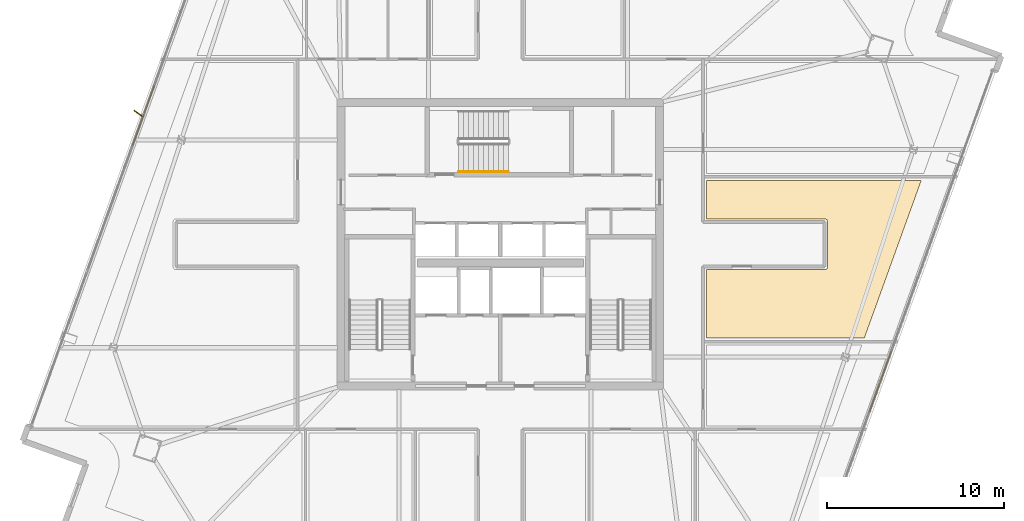
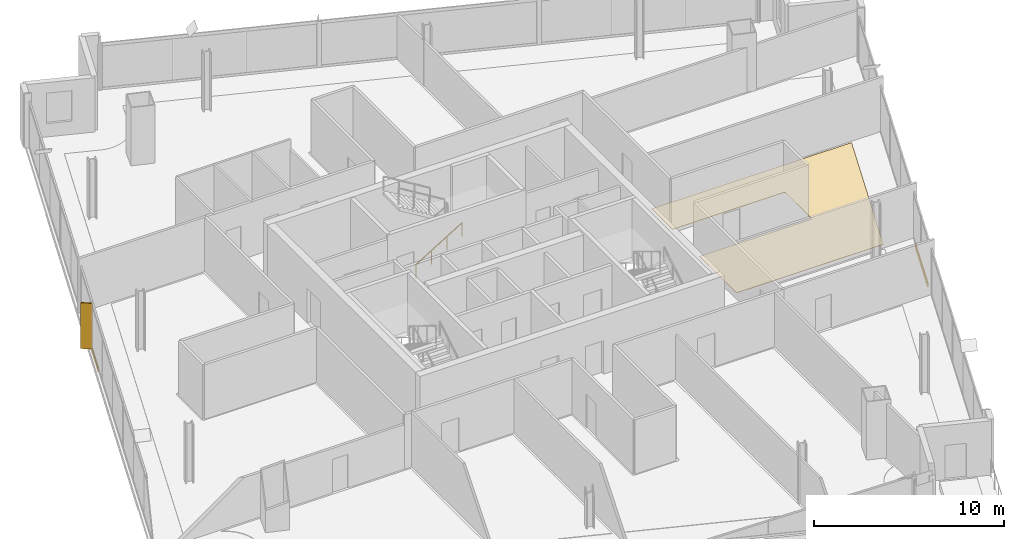
# One storey, part 25 of 27: 3 coverings, 1 railing, 1 shading device.
"""IFC4 building model written with IfcOpenShell, lengths in metres."""

from ifc_helpers import new_model, si_unit, direction, frame, origin, origin_2d, place, context, subcontext, project, spatial, polyline, rectangle, outline, extrude, source, transform, mapped, material, layer, layer_set, type_object, element, save


model = new_model("IFC4")

# Units and contexts
model_context = context("Model", 3, precision=1e-05, world=origin(), true_north=direction((0.0, 1.0)))
body_context = subcontext(model_context, "Body", "Model", "MODEL_VIEW")
ifc_project = project(units=[si_unit("LENGTHUNIT", "METRE"), si_unit("AREAUNIT", "SQUARE_METRE"), si_unit("VOLUMEUNIT", "CUBIC_METRE"), si_unit("PLANEANGLEUNIT", "RADIAN"), si_unit("MASSUNIT", "GRAM", prefix="KILO")], contexts=[model_context])

# Site, building, storey
site_placement = place(None, origin())
site = spatial("IfcSite", under=ifc_project, at=site_placement, CompositionType="ELEMENT")
building_placement = place(site_placement, origin())
building = spatial("IfcBuilding", under=site, at=building_placement, Name="Haldenkirk Collegiate Tower", CompositionType="ELEMENT")
storey_placement = place(building_placement, frame((0.0, 0.0, 263.699951171875)))
storey = spatial("IfcBuildingStorey", under=building, at=storey_placement, Name="L66", CompositionType="ELEMENT", Elevation=263.699951171875)

# Covering
ifc_material_1 = material(Name="Polished collegiate terrazzo", Category="concrete")
ifc_layer_1 = layer(ifc_material_1, 0.02490234375)
ifc_layer_set_1 = layer_set([ifc_layer_1], Name="Polished collegiate terrazzo")
covering_type_1 = type_object("IfcCoveringType", Name="COV-FLOOR-TERRAZZO", PredefinedType="FLOORING", material=ifc_layer_set_1)
covering_placement = place(storey_placement, origin())
element("IfcCovering", 1, at=covering_placement, inside=storey, type_object=covering_type_1, Name="L66 academic room finish 10", PredefinedType="FLOORING", context=body_context, shape_type="SweptSolid", body=[
    extrude(outline(polyline([(56.551513671875, 20.699951171875), (47.64990234375, 20.699951171875), (47.64990234375, 24.580078125), (54.35009765625, 24.580078125), (54.36181640625, 24.58056640625), (54.373291015625, 24.582275390625), (54.384765625, 24.585205078125), (54.39599609375, 24.589111328125), (54.406494140625, 24.59423828125), (54.416748046875, 24.60009765625), (54.426025390625, 24.607177734375), (54.434814453125, 24.614990234375), (54.44287109375, 24.623779296875), (54.44970703125, 24.63330078125), (54.455810546875, 24.643310546875), (54.4609375, 24.654052734375), (54.46484375, 24.665283203125), (54.4677734375, 24.676513671875), (54.469482421875, 24.688232421875), (54.469970703125, 24.699951171875), (54.469970703125, 27.300048828125), (54.469482421875, 27.311767578125), (54.4677734375, 27.323486328125), (54.46484375, 27.334716796875), (54.4609375, 27.345947265625), (54.455810546875, 27.356689453125), (54.44970703125, 27.36669921875), (54.44287109375, 27.376220703125), (54.434814453125, 27.385009765625), (54.426025390625, 27.392822265625), (54.416748046875, 27.39990234375), (54.406494140625, 27.40576171875), (54.39599609375, 27.410888671875), (54.384765625, 27.414794921875), (54.373291015625, 27.417724609375), (54.36181640625, 27.41943359375), (54.35009765625, 27.419921875), (47.64990234375, 27.419921875), (47.64990234375, 29.60009765625), (59.764404296875, 29.60009765625), (56.551513671875, 20.699951171875)])), origin(), (0.0, 0.0, 1.0), 0.025146484375),
])

# Railing
ifc_material_2 = material(Name="Painted architectural tubular steel", Category="steel")
railing_type = type_object("IfcRailingType", Name="RLG-STAIR-HANDRAIL-900", PredefinedType="HANDRAIL", material=ifc_material_2)
railing_placement = place(storey_placement, frame((33.64990234375, 30.10009765625, 0.17041015625)))
element("IfcRailing", 2, at=railing_placement, inside=storey, type_object=railing_type, Name="L66 ST-3 stair handrail 1", PredefinedType="HANDRAIL", context=body_context, shape_type="SweptSolid", body=[
    extrude(rectangle(XDim=0.048095703125, YDim=0.048095703125, at=origin_2d()), frame((0.0, 0.0, 0.8759765625), z_axis=(0.854169791009, 0.0, 0.51999420009), x_axis=(0.0, 1.0, 0.0)), (0.0, 0.0, 1.0), 3.278076171875),
    extrude(rectangle(XDim=0.0419921875, YDim=0.0419921875, at=origin_2d()), origin(), (0.0, 0.0, 1.0), 0.851806640625),
    extrude(rectangle(XDim=0.0419921875, YDim=0.0419921875, at=origin_2d()), frame((0.933349609375, 0.0, 0.568115234375)), (0.0, 0.0, 1.0), 0.851806640625),
    extrude(rectangle(XDim=0.0419921875, YDim=0.0419921875, at=origin_2d()), frame((1.86669921875, 0.0, 1.136474609375)), (0.0, 0.0, 1.0), 0.851806640625),
    extrude(rectangle(XDim=0.0419921875, YDim=0.0419921875, at=origin_2d()), frame((2.800048828125, 0.0, 1.70458984375)), (0.0, 0.0, 1.0), 0.851806640625),
])

# Coverings
ifc_material_3 = material(Name="Anodised architectural bronze aluminium", Category="aluminium")
ifc_layer_2 = layer(ifc_material_3, 0.06005859375)
ifc_layer_set_2 = layer_set([ifc_layer_2], Name="Anodised architectural bronze aluminium")
covering_type_2 = type_object("IfcCoveringType", Name="COV-CLAD-BRONZE-60", PredefinedType="CLADDING", material=ifc_layer_set_2)
shared_shape_1 = source(origin(), body_context, "Body", "SweptSolid", [
    extrude(rectangle(XDim=3.60009765625, YDim=0.06005859375, at=origin_2d()), origin(), (0.0, 0.0, 1.0), 0.300048828125),
])
for number, where, z_axis, x_axis, name in (
    (3, (57.464111328125, 18.251220703125, -0.2998046875), (0.0, 0.0, 1.0), (-0.339558864524, -0.94058480613, 0.0), "L66 architectural bronze spandrel cladding S"),
    (4, (15.852783203125, 33.2734375, -0.2998046875), (0.0, 0.0, 1.0), (0.339558864524, 0.94058480613, 0.0), "L66 architectural bronze spandrel cladding N"),
):
    element("IfcCovering", number, at=place(storey_placement, frame(where, z_axis=z_axis, x_axis=x_axis)), inside=storey, type_object=covering_type_2, Name=name, PredefinedType="CLADDING", context=body_context, shape_type="MappedRepresentation", body=[
        mapped(shared_shape_1, transform((0.0, 0.0, 0.0), x_axis=(1.0, 0.0, 0.0), y_axis=(0.0, 1.0, 0.0), z_axis=(0.0, 0.0, 1.0), scale=1.0)),
    ])

# Shading device
ifc_layer_3 = layer(ifc_material_3, 0.06494140625)
ifc_layer_set_3 = layer_set([ifc_layer_3], Name="Anodised architectural bronze aluminium")
shading_device_type = type_object("IfcShadingDeviceType", Name="SHD-FIN-BRONZE-620", PredefinedType="USERDEFINED", material=ifc_layer_set_3)
shared_shape_2 = source(origin(), body_context, "Body", "SweptSolid", [
    extrude(rectangle(XDim=0.6201171875, YDim=0.06494140625, at=origin_2d()), origin(), (0.0, 0.0, 1.0), 2.93798828125),
])
shading_device_placement = place(storey_placement, frame((15.5751953125, 33.37353515625, 0.0), z_axis=(0.0, 0.0, 1.0), x_axis=(-0.810553038353, 0.585665238866, 0.0)))
element("IfcShadingDevice", 5, at=shading_device_placement, inside=storey, type_object=shading_device_type, Name="L66 folded bronze solar fin 1", ObjectType="FIN", PredefinedType="USERDEFINED", context=body_context, shape_type="MappedRepresentation", body=[
    mapped(shared_shape_2, transform((0.0, 0.0, 0.0), x_axis=(1.0, 0.0, 0.0), y_axis=(0.0, 1.0, 0.0), z_axis=(0.0, 0.0, 1.0), scale=1.0)),
])

save(model, "model.ifc")
